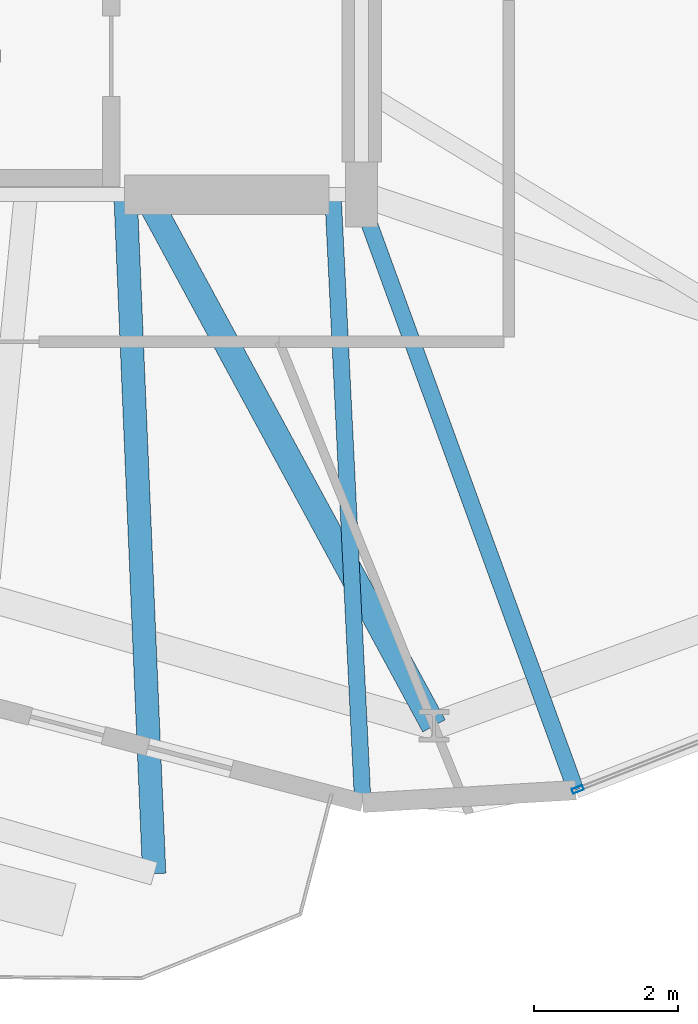
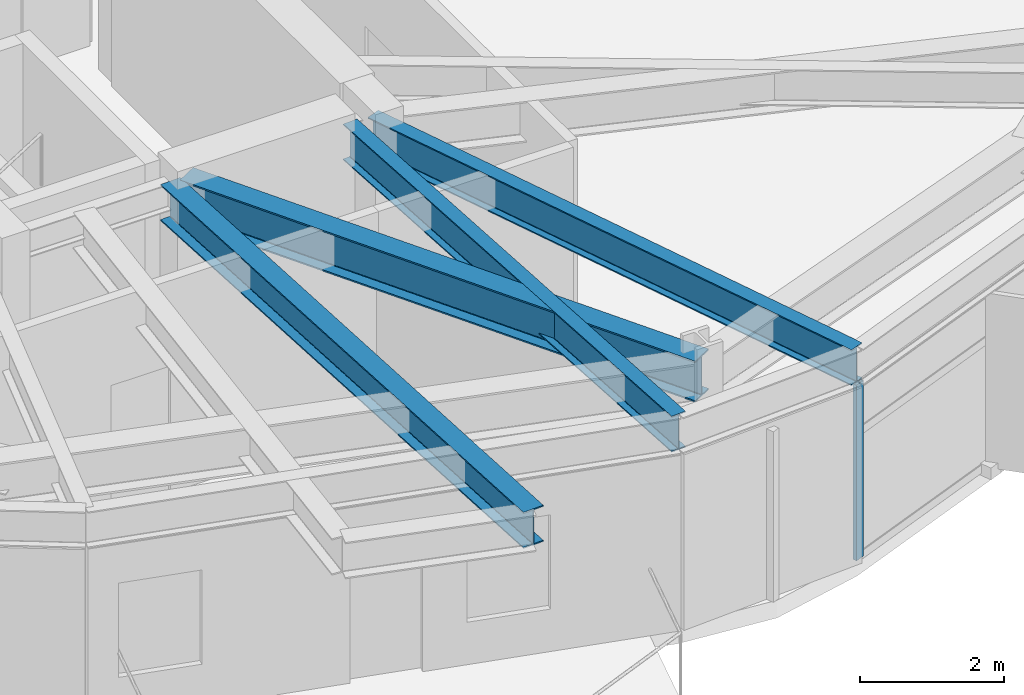
# One storey, part 4 of 22: 4 beams, 1 member, 1 element without a shape of its own.
"""IFC4 building model written with IfcOpenShell, lengths in metres."""

from ifc_helpers import new_model, si_unit, direction, frame, origin, origin_2d, place, context, subcontext, project, spatial, hollow_rectangle, i_section, extrude, material, layer, layer_set, material_profile, profile_set, type_object, element, aggregate, save


model = new_model("IFC4")

# Units and contexts
model_context = context("Model", 3, precision=1e-05, world=origin(), true_north=direction((0.0, 1.0)))
body_context = subcontext(model_context, "Body", "Model", "MODEL_VIEW")
ifc_project = project(units=[si_unit("LENGTHUNIT", "METRE"), si_unit("AREAUNIT", "SQUARE_METRE"), si_unit("VOLUMEUNIT", "CUBIC_METRE"), si_unit("PLANEANGLEUNIT", "RADIAN"), si_unit("MASSUNIT", "GRAM", prefix="KILO")], contexts=[model_context])

# Site, building, storey
site_placement = place(None, origin())
site = spatial("IfcSite", under=ifc_project, at=site_placement, CompositionType="ELEMENT")
building_placement = place(site_placement, origin())
building = spatial("IfcBuilding", under=site, at=building_placement, Name="Soratama Intermodal Tower", CompositionType="ELEMENT")
storey_placement = place(building_placement, frame((0.0, 0.0, 110.800048828125)))
storey = spatial("IfcBuildingStorey", under=building, at=storey_placement, Name="L26", CompositionType="ELEMENT", Elevation=110.800048828125)

# Beams
ifc_material_1 = material(Name="Structural steel ASTM A992 Grade 50", Category="steel")
ifc_material_profile_1 = material_profile(ifc_material_1, i_section(OverallWidth=0.324951171875, OverallDepth=0.615966796875, WebThickness=0.013916015625, FlangeThickness=0.021484375, FilletRadius=0.013916015625, at=origin_2d()), Name="W24X117")
ifc_profile_set_1 = profile_set([ifc_material_profile_1], Name="Structural steel ASTM A992 Grade 50")
beam_type_1 = type_object("IfcBeamType", Name="BM-CANT-W24X117", PredefinedType="BEAM", material=ifc_profile_set_1)
beam_1_placement = place(storey_placement, frame((41.319091796875, 14.9599609375, 3.2919921875), z_axis=(0.04217100233, -0.999110407594, 0.0), x_axis=(0.999110407594, 0.04217100233, 0.0)))
element("IfcBeam", 1, at=beam_1_placement, inside=storey, type_object=beam_type_1, Name="BM-L26-CANT-3-2", PredefinedType="BEAM", context=body_context, shape_type="SweptSolid", body=[
    extrude(i_section(OverallWidth=0.324951171875, OverallDepth=0.615966796875, WebThickness=0.013916015625, FlangeThickness=0.021484375, FilletRadius=0.013916015625, at=origin_2d()), origin(), (0.0, 0.0, 1.0), 9.413330078125),
])
ifc_material_2 = material(Name="Structural steel ASTM A992 Grade 50", Category="steel")
ifc_material_profile_2 = material_profile(ifc_material_2, i_section(OverallWidth=0.35498046875, OverallDepth=0.695068359375, WebThickness=0.015380859375, FlangeThickness=0.02490234375, FilletRadius=0.01611328125, at=origin_2d()), Name="W27X146")
ifc_profile_set_2 = profile_set([ifc_material_profile_2], Name="Structural steel ASTM A992 Grade 50")
beam_type_2 = type_object("IfcBeamType", Name="BM-RING-W27X146", PredefinedType="BEAM", material=ifc_profile_set_2)
beam_2_placement = place(storey_placement, frame((41.60009765625, 15.0, 3.25244140625), z_axis=(0.476697610532, -0.879067339919, 0.0), x_axis=(0.879067339919, 0.476697610532, 0.0)))
element("IfcBeam", 2, at=beam_2_placement, inside=storey, type_object=beam_type_2, Name="BM-L26-RAD-08", PredefinedType="BEAM", context=body_context, shape_type="SweptSolid", body=[
    extrude(i_section(OverallWidth=0.35498046875, OverallDepth=0.695068359375, WebThickness=0.015380859375, FlangeThickness=0.02490234375, FilletRadius=0.01611328125, at=origin_2d()), origin(), (0.0, 0.0, 1.0), 8.405517578125),
])
ifc_material_3 = material(Name="Structural steel ASTM A992 Grade 50", Category="steel")
ifc_material_profile_3 = material_profile(ifc_material_3, i_section(OverallWidth=0.22900390625, OverallDepth=0.612060546875, WebThickness=0.011962890625, FlangeThickness=0.01953125, FilletRadius=0.012939453125, at=origin_2d()), Name="W24X84")
ifc_profile_set_3 = profile_set([ifc_material_profile_3], Name="Structural steel ASTM A992 Grade 50")
beam_type_3 = type_object("IfcBeamType", Name="BM-TIE-W24X84", PredefinedType="BEAM", material=ifc_profile_set_3)
beam_3_placement = place(storey_placement, frame((44.2041015625, 14.9599609375, 3.2939453125), z_axis=(0.048972715072, -0.998800116729, 0.0), x_axis=(0.998800116729, 0.048972715072, 0.0)))
element("IfcBeam", 3, at=beam_3_placement, inside=storey, type_object=beam_type_3, Name="BM-L26-TIE1-07", PredefinedType="BEAM", context=body_context, shape_type="SweptSolid", body=[
    extrude(i_section(OverallWidth=0.22900390625, OverallDepth=0.612060546875, WebThickness=0.011962890625, FlangeThickness=0.01953125, FilletRadius=0.012939453125, at=origin_2d()), origin(), (0.0, 0.0, 1.0), 8.429931640625),
])
beam_4_placement = place(storey_placement, frame((44.572998046875, 14.9619140625, 3.2939453125), z_axis=(0.342544838498, -0.939501481435, 0.0), x_axis=(0.939501481435, 0.342544838498, 0.0)))
element("IfcBeam", 4, at=beam_4_placement, inside=storey, type_object=beam_type_3, Name="BM-L26-TIE0-08", PredefinedType="BEAM", context=body_context, shape_type="SweptSolid", body=[
    extrude(i_section(OverallWidth=0.22900390625, OverallDepth=0.612060546875, WebThickness=0.011962890625, FlangeThickness=0.01953125, FilletRadius=0.012939453125, at=origin_2d()), origin(), (0.0, 0.0, 1.0), 8.77587890625),
])

# Curtain wall, member
ifc_material_4 = material(Name="Double-glazed aluminium curtain wall", Category="aluminium")
ifc_layer = layer(ifc_material_4, 0.159912109375)
ifc_layer_set = layer_set([ifc_layer], Name="Double-glazed aluminium curtain wall")
curtain_wall_type = type_object("IfcCurtainWallType", Name="CW-SYS-3", PredefinedType="NOTDEFINED", material=ifc_layer_set)
curtain_wall_placement = place(storey_placement, origin())
curtain_wall = element("IfcCurtainWall", 5, at=curtain_wall_placement, inside=storey, type_object=curtain_wall_type, Name="L26 Faceted Curtain Wall F08", PredefinedType="NOTDEFINED")
ifc_material_5 = material(Name="Anodised aluminium AA 6063-T6", Category="aluminium")
ifc_material_profile_4 = material_profile(ifc_material_5, hollow_rectangle(XDim=0.070068359375, YDim=0.159912109375, WallThickness=0.0048828125, InnerFilletRadius=0.0048828125, OuterFilletRadius=0.010009765625, at=origin_2d()), Name="CWM160X70X5")
ifc_profile_set_4 = profile_set([ifc_material_profile_4], Name="Anodised aluminium AA 6063-T6")
member_type = type_object("IfcMemberType", Name="MT-CWM-3", PredefinedType="MULLION", material=ifc_profile_set_4)
member_placement = place(storey_placement, frame((47.6064453125, 6.7275390625, 0.0), z_axis=(0.0, 0.0, 1.0), x_axis=(-0.36520813039, 0.93092589474, 0.0)))
member = element("IfcMember", 6, at=member_placement, type_object=member_type, Name="CW-3 mullion 1", PredefinedType="MULLION", context=body_context, shape_type="SweptSolid", body=[
    extrude(hollow_rectangle(XDim=0.070068359375, YDim=0.159912109375, WallThickness=0.0048828125, InnerFilletRadius=0.0048828125, OuterFilletRadius=0.010009765625, at=origin_2d()), origin(), (0.0, 0.0, 1.0), 2.97900390625),
])
aggregate(curtain_wall, [member])

save(model, "model.ifc")
